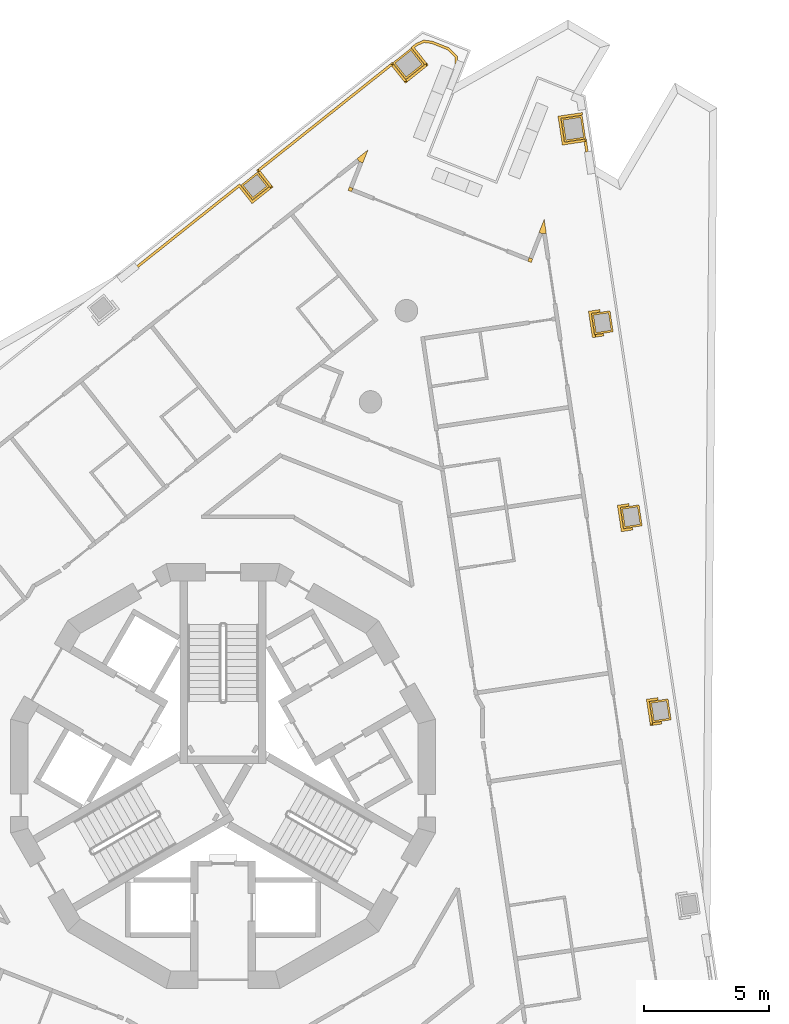
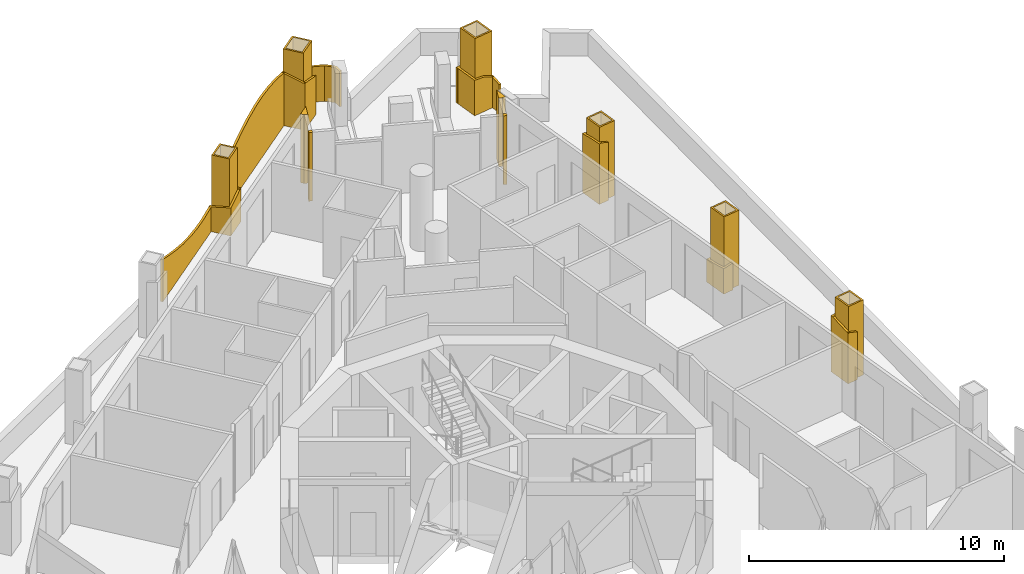
# One storey, part 15 of 16: 10 coverings, 5 railings.
"""IFC4 building model written with IfcOpenShell, lengths in metres."""

from ifc_helpers import new_model, si_unit, direction, frame, origin, place, context, subcontext, project, spatial, polyline, outline, extrude, material, layer, layer_set, type_object, element, save


model = new_model("IFC4")

# Units and contexts
model_context = context("Model", 3, precision=1e-05, world=origin(), true_north=direction((0.0, 1.0)))
body_context = subcontext(model_context, "Body", "Model", "MODEL_VIEW")
ifc_project = project(units=[si_unit("LENGTHUNIT", "METRE"), si_unit("AREAUNIT", "SQUARE_METRE"), si_unit("VOLUMEUNIT", "CUBIC_METRE"), si_unit("PLANEANGLEUNIT", "RADIAN"), si_unit("MASSUNIT", "GRAM", prefix="KILO")], contexts=[model_context])

# Site, building, storey
site_placement = place(None, origin())
site = spatial("IfcSite", under=ifc_project, at=site_placement, CompositionType="ELEMENT")
building_placement = place(site_placement, origin())
building = spatial("IfcBuilding", under=site, at=building_placement, Name="Trine Commons Tower", CompositionType="ELEMENT")
storey_placement = place(building_placement, frame((0.0, 0.0, 198.0)))
storey = spatial("IfcBuildingStorey", under=building, at=storey_placement, Name="L51", CompositionType="ELEMENT", Elevation=198.0)

# Coverings
ifc_material_1 = material(Name="Aluminium-framed insulated wall panel", Category="aluminium")
ifc_layer_1 = layer(ifc_material_1, 0.14990234375)
ifc_layer_set_1 = layer_set([ifc_layer_1], Name="Aluminium-framed insulated wall panel")
covering_type_1 = type_object("IfcCoveringType", Name="Glazing corner post, aluminium", PredefinedType="CLADDING", material=ifc_layer_set_1)
covering_1_placement = place(storey_placement, origin())
element("IfcCovering", 1, at=covering_1_placement, inside=storey, type_object=covering_type_1, Name="Glazing corner post 6-02", PredefinedType="CLADDING", context=body_context, shape_type="SweptSolid", body=[
    extrude(outline(polyline([(85.451416015625, 87.089599609375), (85.451416015625, 87.089599609375), (85.591064453125, 87.03466796875), (85.796142578125, 87.5556640625), (85.358154296875, 87.20703125), (85.451416015625, 87.089599609375)])), origin(), (0.0, 0.0, 1.0), 3.300048828125),
])
covering_2_placement = place(storey_placement, origin())
element("IfcCovering", 2, at=covering_2_placement, inside=storey, type_object=covering_type_1, Name="Glazing corner post 6-03", PredefinedType="CLADDING", context=body_context, shape_type="SweptSolid", body=[
    extrude(outline(polyline([(85.13818359375, 85.885009765625), (85.193115234375, 86.0244140625), (85.0537109375, 86.07958984375), (84.99853515625, 85.93994140625), (85.13818359375, 85.885009765625)])), origin(), (0.0, 0.0, 1.0), 3.300048828125),
])
covering_3_placement = place(storey_placement, origin())
element("IfcCovering", 3, at=covering_3_placement, inside=storey, type_object=covering_type_1, Name="Glazing corner post 6-04", PredefinedType="CLADDING", context=body_context, shape_type="SweptSolid", body=[
    extrude(outline(polyline([(92.190673828125, 83.10693359375), (92.330322265625, 83.052001953125), (92.38525390625, 83.19140625), (92.24560546875, 83.246337890625), (92.190673828125, 83.10693359375)])), origin(), (0.0, 0.0, 1.0), 3.300048828125),
])
covering_4_placement = place(storey_placement, origin())
element("IfcCovering", 4, at=covering_4_placement, inside=storey, type_object=covering_type_1, Name="Glazing corner post 6-05", PredefinedType="CLADDING", context=body_context, shape_type="SweptSolid", body=[
    extrude(outline(polyline([(92.6435546875, 84.256591796875), (92.783203125, 84.20166015625), (92.931396484375, 84.223876953125), (92.848876953125, 84.777587890625), (92.6435546875, 84.256591796875)])), origin(), (0.0, 0.0, 1.0), 3.300048828125),
])
ifc_material_2 = material(Name="Limestone, honed", Category="masonry")
ifc_layer_2 = layer(ifc_material_2, 0.074951171875)
ifc_layer_set_2 = layer_set([ifc_layer_2], Name="Limestone, honed")
covering_type_2 = type_object("IfcCoveringType", Name="Limestone column cladding 75", PredefinedType="CLADDING", material=ifc_layer_set_2)
covering_5_placement = place(storey_placement, origin())
element("IfcCovering", 5, at=covering_5_placement, inside=storey, type_object=covering_type_2, Name="Limestone pier cladding 6-13", PredefinedType="CLADDING", context=body_context, shape_type="SweptSolid", body=[
    extrude(outline(polyline([(81.84130859375, 86.090087890625), (81.37451171875, 86.677001953125), (80.709228515625, 86.147705078125), (81.176025390625, 85.560791015625), (81.84130859375, 86.090087890625)]), holes=[polyline([(81.736083984375, 86.10205078125), (81.362548828125, 86.571533203125), (80.814697265625, 86.1357421875), (81.18798828125, 85.666259765625), (81.736083984375, 86.10205078125)])]), origin(), (0.0, 0.0, 1.0), 3.60009765625),
])
covering_6_placement = place(storey_placement, origin())
element("IfcCovering", 6, at=covering_6_placement, inside=storey, type_object=covering_type_2, Name="Limestone pier cladding 6-14", PredefinedType="CLADDING", context=body_context, shape_type="SweptSolid", body=[
    extrude(outline(polyline([(88.0556640625, 90.968994140625), (87.526611328125, 91.63427734375), (86.782958984375, 91.04296875), (87.31201171875, 90.377685546875), (88.0556640625, 90.968994140625)]), holes=[polyline([(87.9501953125, 90.981201171875), (87.514404296875, 91.52880859375), (86.888427734375, 91.031005859375), (87.32421875, 90.483154296875), (87.9501953125, 90.981201171875)])]), origin(), (0.0, 0.0, 1.0), 3.60009765625),
])
covering_7_placement = place(storey_placement, origin())
element("IfcCovering", 7, at=covering_7_placement, inside=storey, type_object=covering_type_2, Name="Limestone pier cladding 6-15", PredefinedType="CLADDING", context=body_context, shape_type="SweptSolid", body=[
    extrude(outline(polyline([(94.364990234375, 88.9404296875), (93.5244140625, 88.81494140625), (93.664794921875, 87.875244140625), (94.505615234375, 88.0009765625), (94.364990234375, 88.9404296875)]), holes=[polyline([(94.302001953125, 88.855224609375), (93.609619140625, 88.751708984375), (93.72802734375, 87.960693359375), (94.42041015625, 88.06396484375), (94.302001953125, 88.855224609375)])]), origin(), (0.0, 0.0, 1.0), 3.60009765625),
])
covering_8_placement = place(storey_placement, origin())
element("IfcCovering", 8, at=covering_8_placement, inside=storey, type_object=covering_type_2, Name="Limestone pier cladding 6-16", PredefinedType="CLADDING", context=body_context, shape_type="SweptSolid", body=[
    extrude(outline(polyline([(95.4833984375, 81.119384765625), (94.74169921875, 81.00830078125), (94.8671875, 80.167724609375), (95.609130859375, 80.278564453125), (95.4833984375, 81.119384765625)]), holes=[polyline([(95.42041015625, 81.033935546875), (94.826904296875, 80.9453125), (94.930419921875, 80.2529296875), (95.523681640625, 80.341796875), (95.42041015625, 81.033935546875)])]), origin(), (0.0, 0.0, 1.0), 3.60009765625),
])
covering_9_placement = place(storey_placement, origin())
element("IfcCovering", 9, at=covering_9_placement, inside=storey, type_object=covering_type_2, Name="Limestone pier cladding 6-17", PredefinedType="CLADDING", context=body_context, shape_type="SweptSolid", body=[
    extrude(outline(polyline([(96.643798828125, 73.35498046875), (95.902099609375, 73.244140625), (96.027587890625, 72.4033203125), (96.769287109375, 72.514404296875), (96.643798828125, 73.35498046875)]), holes=[polyline([(96.580810546875, 73.269775390625), (95.9873046875, 73.180908203125), (96.0908203125, 72.48876953125), (96.68408203125, 72.577392578125), (96.580810546875, 73.269775390625)])]), origin(), (0.0, 0.0, 1.0), 3.60009765625),
])
covering_10_placement = place(storey_placement, origin())
element("IfcCovering", 10, at=covering_10_placement, inside=storey, type_object=covering_type_2, Name="Limestone pier cladding 6-18", PredefinedType="CLADDING", context=body_context, shape_type="SweptSolid", body=[
    extrude(outline(polyline([(97.80419921875, 65.590576171875), (97.0625, 65.479736328125), (97.18798828125, 64.638916015625), (97.9296875, 64.75), (97.80419921875, 65.590576171875)]), holes=[polyline([(97.7412109375, 65.50537109375), (97.147705078125, 65.41650390625), (97.251220703125, 64.724365234375), (97.844482421875, 64.81298828125), (97.7412109375, 65.50537109375)])]), origin(), (0.0, 0.0, 1.0), 3.60009765625),
])

# Railings
ifc_material_3 = material(Name="White powder-coated aluminium", Category="aluminium")
ifc_layer_3 = layer(ifc_material_3, 0.10009765625)
ifc_layer_set_3 = layer_set([ifc_layer_3], Name="White powder-coated aluminium")
railing_type = type_object("IfcRailingType", Name="White balustrade band 100", PredefinedType="GUARDRAIL", material=ifc_layer_set_3)
railing_1_placement = place(storey_placement, origin())
element("IfcRailing", 11, at=railing_1_placement, inside=storey, type_object=railing_type, Name="Guard band L51 11", PredefinedType="GUARDRAIL", context=body_context, shape_type="SweptSolid", body=[
    extrude(outline(polyline([(0.0, 0.0), (5.27001953125, 0.0), (5.27001953125, 1.187744140625), (4.494384765625, 1.109375), (4.1220703125, 1.10009765625), (3.718505859375, 1.111083984375), (2.942626953125, 1.1923828125), (2.166748046875, 1.3466796875), (1.39111328125, 1.5595703125), (0.615234375, 1.81201171875), (0.0, 2.025390625), (0.0, 0.0)])), frame((76.53125, 82.92041015625, 0.0), z_axis=(0.622534528167, -0.782592334003, 0.0), x_axis=(0.782592334003, 0.622534528167, 0.0)), (0.0, 0.0, 1.0), 0.10009765625),
    extrude(outline(polyline([(0.0, 0.0), (0.937255859375, 0.0), (0.93701171875, 1.353515625), (0.468505859375, 1.2509765625), (0.0, 1.173095703125), (0.0, 0.0)])), frame((80.654296875, 86.201171875, 0.0), z_axis=(-0.782771196081, -0.622309613124, 0.0), x_axis=(0.622309613124, -0.782771196081, 0.0)), (0.0, 0.0, 1.0), 0.10009765625),
    extrude(outline(polyline([(0.0, 0.0), (1.07177734375, 0.0), (1.071533203125, 1.628662109375), (0.535888671875, 1.46728515625), (0.0, 1.3291015625), (0.0, 0.0)])), frame((81.095458984375, 85.48388671875, 0.0), z_axis=(0.622609180639, -0.782532943833, 0.0), x_axis=(0.782532943833, 0.622609180639, 0.0)), (0.0, 0.0, 1.0), 0.10009765625),
    extrude(outline(polyline([(0.0, 0.0), (0.936767578125, 0.0), (0.936767578125, 1.90869140625), (0.468505859375, 1.74853515625), (0.0, 1.596435546875), (0.0, 0.0)])), frame((81.91845703125, 86.00927734375, 0.0), z_axis=(0.782569313393, 0.622563466432, 0.0), x_axis=(-0.622563466432, 0.782569313393, 0.0)), (0.0, 0.0, 1.0), 0.10009765625),
    extrude(outline(polyline([(0.0, 0.0), (6.93212890625, 0.0), (6.931884765625, 2.50341796875), (6.161865234375, 2.70068359375), (5.3916015625, 2.835693359375), (4.621337890625, 2.89697265625), (4.412353515625, 2.89990234375), (3.85107421875, 2.87890625), (3.080810546875, 2.78271484375), (2.310791015625, 2.6171875), (1.540283203125, 2.39697265625), (0.770263671875, 2.1416015625), (0.0, 1.873779296875), (0.0, 0.0)])), frame((81.335205078125, 86.741455078125, 0.0), z_axis=(0.622527977914, -0.782597544536, 0.0), x_axis=(0.782597544536, 0.622527977914, 0.0)), (0.0, 0.0, 1.0), 0.10009765625),
    extrude(outline(polyline([(0.0, 0.0), (0.98681640625, 0.0), (0.98681640625, 2.22265625), (0.493408203125, 2.384521484375), (0.0, 2.5322265625), (0.0, 0.0)])), frame((86.759033203125, 91.056884765625, 0.0), z_axis=(-0.782603793763, -0.622520121754, 0.0), x_axis=(0.622520121754, -0.782603793763, 0.0)), (0.0, 0.0, 1.0), 0.10009765625),
    extrude(outline(polyline([(0.0, 0.0), (1.171630859375, 0.0), (1.171875, 1.85205078125), (0.5859375, 2.055908203125), (0.0, 2.2568359375), (0.0, 0.0)])), frame((87.231689453125, 90.301025390625, 0.0), z_axis=(0.622430743066, -0.782674881472, 0.0), x_axis=(0.782674881472, 0.622430743066, 0.0)), (0.0, 0.0, 1.0), 0.10009765625),
    extrude(outline(polyline([(0.0, 0.0), (0.987060546875, 0.0), (0.9873046875, 1.69970703125), (0.49365234375, 1.719482421875), (0.0, 1.88720703125), (0.0, 0.0)])), frame((88.13232421875, 90.888671875, 0.0), z_axis=(0.782579144551, 0.622551108355, 0.0), x_axis=(-0.622551108355, 0.782579144551, 0.0)), (0.0, 0.0, 1.0), 0.10009765625),
    extrude(outline(polyline([(0.0, 0.0), (0.261962890625, 0.0), (0.261962890625, 1.699951171875), (0.0, 1.699951171875), (0.0, 0.0)])), frame((87.51806640625, 91.659912109375, 0.0), z_axis=(0.621848510747, -0.783137554764, 0.0), x_axis=(0.783137554764, 0.621848510747, 0.0)), (0.0, 0.0, 1.0), 0.10009765625),
    extrude(outline(polyline([(0.0, 0.0), (0.33154296875, 0.0), (0.33154296875, 1.699951171875), (0.0, 1.699951171875), (0.0, 0.0)])), frame((87.721435546875, 91.82177734375, 0.0), z_axis=(0.398268442041, -0.917268907177, 0.0), x_axis=(0.917268907177, 0.398268442041, 0.0)), (0.0, 0.0, 1.0), 0.10009765625),
    extrude(outline(polyline([(0.0, 0.0), (0.33203125, 0.0), (0.331787109375, 1.699951171875), (0.0, 1.699951171875), (0.0, 0.0)])), frame((88.0244140625, 91.953857421875, 0.0), z_axis=(-0.113256207053, -0.993565816423, 0.0), x_axis=(0.993565816423, -0.113256207053, 0.0)), (0.0, 0.0, 1.0), 0.10009765625),
    extrude(outline(polyline([(0.0, 0.0), (0.720458984375, 0.0), (0.720458984375, 1.699951171875), (0.0, 1.699951171875), (0.0, 0.0)])), frame((88.35302734375, 91.916748046875, 0.0), z_axis=(-0.366711213241, -0.930334824718, 0.0), x_axis=(0.930334824718, -0.366711213241, 0.0)), (0.0, 0.0, 1.0), 0.10009765625),
    extrude(outline(polyline([(0.0, 0.0), (0.491455078125, 0.0), (0.49169921875, 1.699951171875), (0.0, 1.699951171875), (0.0, 0.0)])), frame((89.021728515625, 91.6533203125, 0.0), z_axis=(-0.694833791199, -0.719170357153, 0.0), x_axis=(0.719170357153, -0.694833791199, 0.0)), (0.0, 0.0, 1.0), 0.10009765625),
    extrude(outline(polyline([(0.0, 0.0), (0.373046875, 0.0), (0.373291015625, 1.699951171875), (0.0, 1.699951171875), (0.0, 0.0)])), frame((89.374755859375, 91.313232421875, 0.0), z_axis=(-0.99985526429, -0.017013244026, 0.0), x_axis=(0.017013244026, -0.99985526429, 0.0)), (0.0, 0.0, 1.0), 0.10009765625),
])
railing_2_placement = place(storey_placement, origin())
element("IfcRailing", 12, at=railing_2_placement, inside=storey, type_object=railing_type, Name="Guard band L51 12", PredefinedType="GUARDRAIL", context=body_context, shape_type="SweptSolid", body=[
    extrude(outline(polyline([(0.0, 0.0), (0.98681640625, 0.0), (0.98681640625, 1.699951171875), (0.493408203125, 1.699951171875), (0.0, 1.813720703125), (0.0, 0.0)])), frame((94.388916015625, 88.9541015625, 0.0), z_axis=(-0.147929159515, 0.988997959434, 0.0), x_axis=(-0.988997959434, -0.147929159515, 0.0)), (0.0, 0.0, 1.0), 0.10009765625),
    extrude(outline(polyline([(0.0, 0.0), (1.17236328125, 0.0), (1.172119140625, 1.699951171875), (0.586181640625, 1.699951171875), (0.0, 1.699951171875), (0.0, 0.0)])), frame((93.498291015625, 88.923095703125, 0.0), z_axis=(-0.989008031919, -0.147861803045, 0.0), x_axis=(0.147861803045, -0.989008031919, 0.0)), (0.0, 0.0, 1.0), 0.10009765625),
    extrude(outline(polyline([(0.0, 0.0), (0.986572265625, 0.0), (0.98681640625, 1.443603515625), (0.493408203125, 1.6572265625), (0.0, 1.699951171875), (0.0, 0.0)])), frame((93.557373046875, 87.849365234375, 0.0), z_axis=(0.147723329629, -0.989028724499, 0.0), x_axis=(0.989028724499, 0.147723329629, 0.0)), (0.0, 0.0, 1.0), 0.10009765625),
    extrude(outline(polyline([(0.0, 0.0), (0.523193359375, 0.0), (0.523193359375, 1.34765625), (0.0, 1.478515625), (0.0, 0.0)])), frame((94.53173828125, 87.9951171875, 0.0), z_axis=(-0.988994474989, -0.147952453314, 0.0), x_axis=(0.147952453314, -0.988994474989, 0.0)), (0.0, 0.0, 1.0), 0.10009765625),
])
railing_3_placement = place(storey_placement, origin())
element("IfcRailing", 13, at=railing_3_placement, inside=storey, type_object=railing_type, Name="Guard band L51 13", PredefinedType="GUARDRAIL", context=body_context, shape_type="SweptSolid", body=[
    extrude(outline(polyline([(0.0, 0.0), (0.4658203125, 0.0), (0.4658203125, 2.83251953125), (0.4658203125, 2.83251953125), (0.0, 2.757568359375), (0.0, 0.0)])), frame((95.09130859375, 81.070556640625, 0.0), z_axis=(-0.14728948232, 0.989093427537, 0.0), x_axis=(-0.989093427537, -0.14728948232, 0.0)), (0.0, 0.0, 1.0), 0.10009765625),
    extrude(outline(polyline([(0.0, 0.0), (1.07177734375, 0.0), (1.07177734375, 2.89990234375), (0.535888671875, 2.878173828125), (0.0, 2.818603515625), (0.0, 0.0)])), frame((94.715576171875, 81.116455078125, 0.0), z_axis=(-0.989013074411, -0.147828071233, 0.0), x_axis=(0.147828071233, -0.989013074411, 0.0)), (0.0, 0.0, 1.0), 0.10009765625),
    extrude(outline(polyline([(0.0, 0.0), (0.4658203125, 0.0), (0.4658203125, 2.781005859375), (0.135498046875, 2.89990234375), (0.0, 2.898681640625), (0.0, 0.0)])), frame((94.75927734375, 80.1416015625, 0.0), z_axis=(0.147802213464, -0.989016939033, 0.0), x_axis=(0.989016939033, 0.147802213464, 0.0)), (0.0, 0.0, 1.0), 0.10009765625),
])
railing_4_placement = place(storey_placement, origin())
element("IfcRailing", 14, at=railing_4_placement, inside=storey, type_object=railing_type, Name="Guard band L51 14", PredefinedType="GUARDRAIL", context=body_context, shape_type="SweptSolid", body=[
    extrude(outline(polyline([(0.0, 0.0), (0.46630859375, 0.0), (0.46630859375, 1.11181640625), (0.048095703125, 1.10009765625), (0.0, 1.10009765625), (0.0, 0.0)])), frame((96.251708984375, 73.306396484375, 0.0), z_axis=(-0.147649139441, 0.98903980285, 0.0), x_axis=(-0.98903980285, -0.147649139441, 0.0)), (0.0, 0.0, 1.0), 0.10009765625),
    extrude(outline(polyline([(0.0, 0.0), (1.072021484375, 0.0), (1.072021484375, 1.227294921875), (0.535888671875, 1.148681640625), (0.0, 1.106689453125), (0.0, 0.0)])), frame((95.8759765625, 73.35205078125, 0.0), z_axis=(-0.989018050399, -0.147794776585, 0.0), x_axis=(0.147794776585, -0.989018050399, 0.0)), (0.0, 0.0, 1.0), 0.10009765625),
    extrude(outline(polyline([(0.0, 0.0), (0.4658203125, 0.0), (0.4658203125, 1.300048828125), (0.0, 1.209716796875), (0.0, 0.0)])), frame((95.919677734375, 72.377197265625, 0.0), z_axis=(0.147802213464, -0.989016939033, 0.0), x_axis=(0.989016939033, 0.147802213464, 0.0)), (0.0, 0.0, 1.0), 0.10009765625),
])
railing_5_placement = place(storey_placement, origin())
element("IfcRailing", 15, at=railing_5_placement, inside=storey, type_object=railing_type, Name="Guard band L51 15", PredefinedType="GUARDRAIL", context=body_context, shape_type="SweptSolid", body=[
    extrude(outline(polyline([(0.0, 0.0), (0.466064453125, 0.0), (0.466064453125, 2.680419921875), (0.0, 2.775146484375), (0.0, 0.0)])), frame((97.412109375, 65.5419921875, 0.0), z_axis=(-0.147725637241, 0.989028379826, 0.0), x_axis=(-0.989028379826, -0.147725637241, 0.0)), (0.0, 0.0, 1.0), 0.10009765625),
    extrude(outline(polyline([(0.0, 0.0), (1.071533203125, 0.0), (1.071533203125, 2.416259765625), (0.535888671875, 2.572021484375), (0.0, 2.702880859375), (0.0, 0.0)])), frame((97.036376953125, 65.58740234375, 0.0), z_axis=(-0.989041387978, -0.147638520942, 0.0), x_axis=(0.147638520942, -0.989041387978, 0.0)), (0.0, 0.0, 1.0), 0.10009765625),
    extrude(outline(polyline([(0.0, 0.0), (0.4658203125, 0.0), (0.4658203125, 2.2998046875), (0.0, 2.447509765625), (0.0, 0.0)])), frame((97.080078125, 64.61279296875, 0.0), z_axis=(0.147802213464, -0.989016939033, 0.0), x_axis=(0.989016939033, 0.147802213464, 0.0)), (0.0, 0.0, 1.0), 0.10009765625),
])

save(model, "model.ifc")
